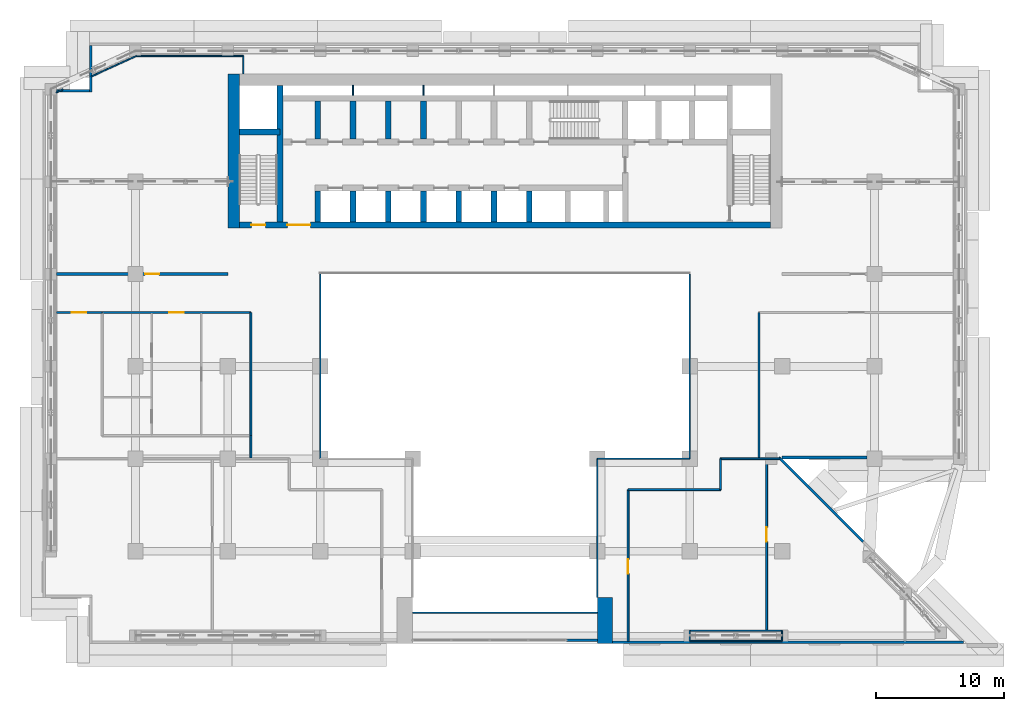
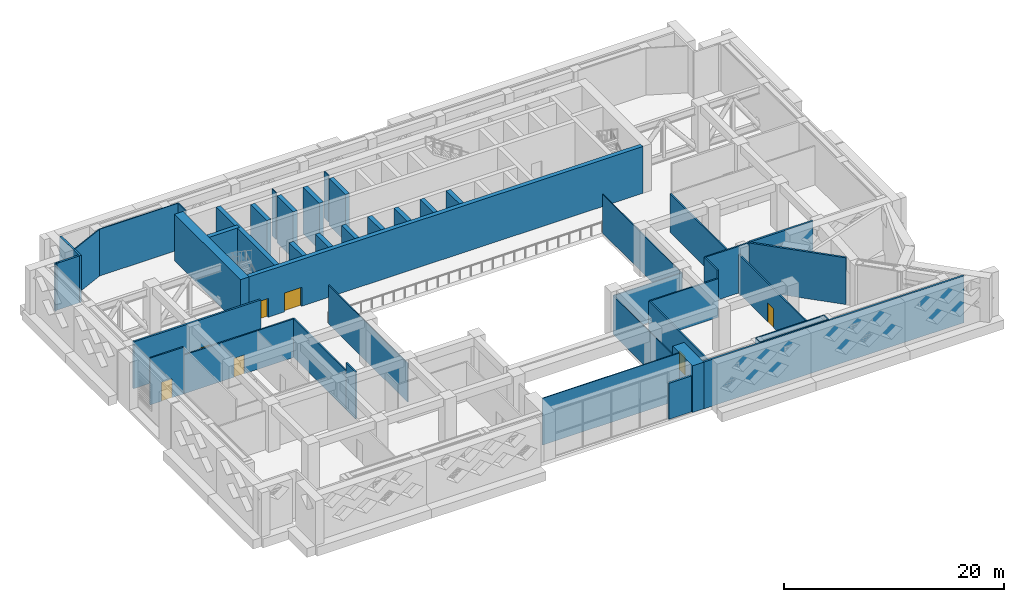
# One storey, part 9 of 19: 48 walls, 7 doors, 7 openings.
"""IFC4 building model written with IfcOpenShell, lengths in metres."""

from ifc_helpers import new_model, si_unit, direction, frame, frame_2d, origin, place, context, subcontext, project, spatial, rectangle, extrude, material, layer, layer_set, type_object, element, fill, save


model = new_model("IFC4")

# Units and contexts
model_context = context("Model", 3, precision=1e-05, world=origin(), true_north=direction((0.0, 1.0)))
body_context = subcontext(model_context, "Body", "Model", "MODEL_VIEW")
ifc_project = project(units=[si_unit("LENGTHUNIT", "METRE"), si_unit("AREAUNIT", "SQUARE_METRE"), si_unit("VOLUMEUNIT", "CUBIC_METRE"), si_unit("PLANEANGLEUNIT", "RADIAN"), si_unit("MASSUNIT", "GRAM", prefix="KILO")], contexts=[model_context])

# Site, building, storey
site_placement = place(None, origin())
site = spatial("IfcSite", under=ifc_project, at=site_placement, CompositionType="ELEMENT")
building_placement = place(site_placement, origin())
building = spatial("IfcBuilding", under=site, at=building_placement, Name="Saffron Iwan Residences", CompositionType="ELEMENT")
storey_placement = place(building_placement, frame((0.0, 0.0, 107.5)))
storey = spatial("IfcBuildingStorey", under=building, at=storey_placement, Name="L28", CompositionType="ELEMENT", Elevation=107.5)

# Walls
ifc_material_1 = material(Name="Concrete blockwork", Category="masonry")
ifc_layer_1 = layer(ifc_material_1, 0.14990234375)
ifc_layer_set_1 = layer_set([ifc_layer_1], Name="Concrete blockwork")
wall_type_1 = type_object("IfcWallType", Name="Blockwork partition 150", PredefinedType="PARTITIONING", material=ifc_layer_set_1)
wall_1_placement = place(storey_placement, frame((60.0, 45.60009765625, 0.0), z_axis=(0.0, 0.0, 1.0), x_axis=(1.0, 0.0, 0.0)))
element("IfcWall", 1, at=wall_1_placement, inside=storey, type_object=wall_type_1, Name="W-L28-008", PredefinedType="PARTITIONING", context=body_context, shape_type="SweptSolid", body=[
    extrude(rectangle(XDim=7.199951171875, YDim=0.14990234375, at=frame_2d((3.60009765625, 0.0))), origin(), (0.0, 0.0, 1.0), 4.300048828125),
])
wall_2_placement = place(storey_placement, frame((67.199951171875, 48.0, 0.0), z_axis=(0.0, 0.0, 1.0), x_axis=(1.0, 0.0, 0.0)))
element("IfcWall", 2, at=wall_2_placement, inside=storey, type_object=wall_type_1, Name="W-L28-012", PredefinedType="PARTITIONING", context=body_context, shape_type="SweptSolid", body=[
    extrude(rectangle(XDim=4.630126953125, YDim=0.14990234375, at=frame_2d((2.31494140625, 0.0))), origin(), (0.0, 0.0, 1.0), 5.199951171875),
])

# Wall, opening, door
wall_3_placement = place(storey_placement, frame((19.0, 59.39990234375, 0.0), z_axis=(0.0, 0.0, 1.0), x_axis=(1.0, 0.0, 0.0)))
wall_3 = element("IfcWall", 3, at=wall_3_placement, inside=storey, type_object=wall_type_1, Name="W-L28-015", PredefinedType="PARTITIONING", context=body_context, shape_type="SweptSolid", body=[
    extrude(rectangle(XDim=11.60009765625, YDim=0.14990234375, at=frame_2d((5.800048828125, 0.0))), origin(), (0.0, 0.0, 1.0), 4.300048828125),
])
opening_1_placement = place(wall_3_placement, frame((5.25, 0.0, 0.0)))
opening_1 = element("IfcOpeningElement", 4, at=opening_1_placement, cuts=wall_3, Name="Opening L28.13", PredefinedType="OPENING", context=body_context, shape_type="SweptSolid", body=[
    extrude(rectangle(XDim=1.10009765625, YDim=2.10009765625, at=frame_2d((0.550048828125, 1.050048828125))), frame((0.0, 0.0849609375, 0.0), z_axis=(0.0, -1.0, 0.0), x_axis=(1.0, 0.0, 0.0)), (0.0, 0.0, 1.0), 0.169921875),
])
ifc_material_2 = material(Name="Timber", Category="wood")
door_type_1 = type_object("IfcDoorType", Name="Door 1100x2100", OperationType="NOTDEFINED", PredefinedType="DOOR", material=ifc_material_2)
door_1_placement = place(opening_1_placement, origin())
door_1 = element("IfcDoor", 5, at=door_1_placement, inside=storey, type_object=door_type_1, Name="D-L28-013", OperationType="SINGLE_SWING_RIGHT", OverallHeight=2.10009765625, OverallWidth=1.10009765625, PredefinedType="DOOR", context=body_context, shape_type="SweptSolid", body=[
    extrude(rectangle(XDim=1.10009765625, YDim=2.10009765625, at=frame_2d((0.550048828125, 1.050048828125))), frame((0.0, 0.02490234375, 0.0), z_axis=(0.0, -1.0, 0.0), x_axis=(1.0, 0.0, 0.0)), (0.0, 0.0, 1.0), 0.050048828125),
])
fill(opening_1, door_1)

wall_4_placement = place(storey_placement, frame((15.449951171875, 59.39990234375, 0.0), z_axis=(0.0, 0.0, 1.0), x_axis=(1.0, 0.0, 0.0)))
wall_4 = element("IfcWall", 6, at=wall_4_placement, inside=storey, type_object=wall_type_1, Name="W-L28-016", PredefinedType="PARTITIONING", context=body_context, shape_type="SweptSolid", body=[
    extrude(rectangle(XDim=3.550048828125, YDim=0.14990234375, at=frame_2d((1.77490234375, 0.0))), origin(), (0.0, 0.0, 1.0), 5.199951171875),
])
opening_2_placement = place(wall_4_placement, frame((1.199951171875, 0.0, 0.0)))
opening_2 = element("IfcOpeningElement", 7, at=opening_2_placement, cuts=wall_4, Name="Opening L28.06", PredefinedType="OPENING", context=body_context, shape_type="SweptSolid", body=[
    extrude(rectangle(XDim=1.10009765625, YDim=2.10009765625, at=frame_2d((0.550048828125, 1.050048828125))), frame((0.0, 0.0849609375, 0.0), z_axis=(0.0, -1.0, 0.0), x_axis=(1.0, 0.0, 0.0)), (0.0, 0.0, 1.0), 0.169921875),
])
ifc_material_3 = material(Name="Steel", Category="steel")
door_type_2 = type_object("IfcDoorType", Name="Fire door 1100x2100", OperationType="NOTDEFINED", PredefinedType="DOOR", material=ifc_material_3)
door_2_placement = place(opening_2_placement, origin())
door_2 = element("IfcDoor", 8, at=door_2_placement, inside=storey, type_object=door_type_2, Name="D-L28-006", OperationType="SINGLE_SWING_LEFT", OverallHeight=2.10009765625, OverallWidth=1.10009765625, PredefinedType="DOOR", context=body_context, shape_type="SweptSolid", body=[
    extrude(rectangle(XDim=1.10009765625, YDim=2.10009765625, at=frame_2d((0.550048828125, 1.050048828125))), frame((0.0, 0.02490234375, 0.0), z_axis=(0.0, -1.0, 0.0), x_axis=(1.0, 0.0, 0.0)), (0.0, 0.0, 1.0), 0.050048828125),
])
fill(opening_2, door_2)

# Walls
wall_5_placement = place(storey_placement, frame((30.60009765625, 49.800048828125, 0.0), z_axis=(0.0, 0.0, 1.0), x_axis=(0.0, 1.0, 0.0)))
element("IfcWall", 9, at=wall_5_placement, inside=storey, type_object=wall_type_1, Name="W-L28-030", PredefinedType="PARTITIONING", context=body_context, shape_type="SweptSolid", body=[
    extrude(rectangle(XDim=9.599853515625, YDim=0.14990234375, at=frame_2d((4.7998046875, 0.0))), origin(), (0.0, 0.0, 1.0), 4.300048828125),
])
wall_6_placement = place(storey_placement, frame((30.60009765625, 48.074951171875, 0.0), z_axis=(0.0, 0.0, 1.0), x_axis=(0.0, 1.0, 0.0)))
element("IfcWall", 10, at=wall_6_placement, inside=storey, type_object=wall_type_1, Name="W-L28-031", PredefinedType="PARTITIONING", context=body_context, shape_type="SweptSolid", body=[
    extrude(rectangle(XDim=1.72509765625, YDim=0.14990234375, at=frame_2d((0.862548828125, 0.0))), origin(), (0.0, 0.0, 1.0), 5.199951171875),
])

# Wall, opening, door
wall_7_placement = place(storey_placement, frame((60.0, 33.77001953125, 0.0), z_axis=(0.0, 0.0, 1.0), x_axis=(0.0, 1.0, 0.0)))
wall_7 = element("IfcWall", 11, at=wall_7_placement, inside=storey, type_object=wall_type_1, Name="W-L28-038", PredefinedType="PARTITIONING", context=body_context, shape_type="SweptSolid", body=[
    extrude(rectangle(XDim=11.830078125, YDim=0.14990234375, at=frame_2d((5.9150390625, 0.0))), origin(), (0.0, 0.0, 1.0), 4.300048828125),
])
opening_3_placement = place(wall_7_placement, frame((5.280029296875, 0.0, 0.0)))
opening_3 = element("IfcOpeningElement", 12, at=opening_3_placement, cuts=wall_7, Name="Opening L28.08", PredefinedType="OPENING", context=body_context, shape_type="SweptSolid", body=[
    extrude(rectangle(XDim=1.10009765625, YDim=2.10009765625, at=frame_2d((0.550048828125, 1.050048828125))), frame((0.0, 0.0849609375, 0.0), z_axis=(0.0, -1.0, 0.0), x_axis=(1.0, 0.0, 0.0)), (0.0, 0.0, 1.0), 0.169921875),
])
door_3_placement = place(opening_3_placement, origin())
door_3 = element("IfcDoor", 13, at=door_3_placement, inside=storey, type_object=door_type_2, Name="D-L28-008", OperationType="SINGLE_SWING_LEFT", OverallHeight=2.10009765625, OverallWidth=1.10009765625, PredefinedType="DOOR", context=body_context, shape_type="SweptSolid", body=[
    extrude(rectangle(XDim=1.10009765625, YDim=2.10009765625, at=frame_2d((0.550048828125, 1.050048828125))), frame((0.0, 0.02490234375, 0.0), z_axis=(0.0, -1.0, 0.0), x_axis=(1.0, 0.0, 0.0)), (0.0, 0.0, 1.0), 0.050048828125),
])
fill(opening_3, door_3)

# Walls
wall_8_placement = place(storey_placement, frame((67.199951171875, 45.60009765625, 0.0), z_axis=(0.0, 0.0, 1.0), x_axis=(0.0, 1.0, 0.0)))
element("IfcWall", 14, at=wall_8_placement, inside=storey, type_object=wall_type_1, Name="W-L28-041", PredefinedType="PARTITIONING", context=body_context, shape_type="SweptSolid", body=[
    extrude(rectangle(XDim=2.39990234375, YDim=0.14990234375, at=frame_2d((1.199951171875, 0.0))), origin(), (0.0, 0.0, 1.0), 5.199951171875),
])
wall_9_placement = place(storey_placement, frame((70.199951171875, 48.074951171875, 0.0), z_axis=(0.0, 0.0, 1.0), x_axis=(0.0, 1.0, 0.0)))
element("IfcWall", 15, at=wall_9_placement, inside=storey, type_object=wall_type_1, Name="W-L28-042", PredefinedType="PARTITIONING", context=body_context, shape_type="SweptSolid", body=[
    extrude(rectangle(XDim=11.324951171875, YDim=0.14990234375, at=frame_2d((5.66259765625, 0.0))), origin(), (0.0, 0.0, 1.0), 4.300048828125),
])

# Wall, opening, door
wall_10_placement = place(storey_placement, frame((70.7900390625, 34.64990234375, 0.0), z_axis=(0.0, 0.0, 1.0), x_axis=(0.0, 1.0, 0.0)))
wall_10 = element("IfcWall", 16, at=wall_10_placement, inside=storey, type_object=wall_type_1, Name="W-L28-043", PredefinedType="PARTITIONING", context=body_context, shape_type="SweptSolid", body=[
    extrude(rectangle(XDim=13.275146484375, YDim=0.14990234375, at=frame_2d((6.6376953125, 0.0))), origin(), (0.0, 0.0, 1.0), 4.300048828125),
])
opening_4_placement = place(wall_10_placement, frame((6.89990234375, 0.0, 0.0)))
opening_4 = element("IfcOpeningElement", 17, at=opening_4_placement, cuts=wall_10, Name="Opening L28.12", PredefinedType="OPENING", context=body_context, shape_type="SweptSolid", body=[
    extrude(rectangle(XDim=1.10009765625, YDim=2.10009765625, at=frame_2d((0.550048828125, 1.050048828125))), frame((0.0, 0.0849609375, 0.0), z_axis=(0.0, -1.0, 0.0), x_axis=(1.0, 0.0, 0.0)), (0.0, 0.0, 1.0), 0.169921875),
])
door_4_placement = place(opening_4_placement, origin())
door_4 = element("IfcDoor", 18, at=door_4_placement, inside=storey, type_object=door_type_2, Name="D-L28-012", OperationType="SINGLE_SWING_RIGHT", OverallHeight=2.10009765625, OverallWidth=1.10009765625, PredefinedType="DOOR", context=body_context, shape_type="SweptSolid", body=[
    extrude(rectangle(XDim=1.10009765625, YDim=2.10009765625, at=frame_2d((0.550048828125, 1.050048828125))), frame((0.0, 0.02490234375, 0.0), z_axis=(0.0, -1.0, 0.0), x_axis=(1.0, 0.0, 0.0)), (0.0, 0.0, 1.0), 0.050048828125),
])
fill(opening_4, door_4)

# Walls
ifc_material_4 = material(Name="Concrete C40/50", Category="concrete")
ifc_layer_2 = layer(ifc_material_4, 0.199951171875)
ifc_layer_set_2 = layer_set([ifc_layer_2], Name="Concrete C40/50")
wall_type_2 = type_object("IfcWallType", Name="EXTERNAL WALL 200", PredefinedType="SOLIDWALL", material=ifc_layer_set_2)
wall_11_placement = place(storey_placement, frame((71.988525390625, 48.10009765625, 0.0), z_axis=(0.0, 0.0, 1.0), x_axis=(1.0, 0.0, 0.0)))
element("IfcWall", 19, at=wall_11_placement, inside=storey, type_object=wall_type_2, Name="External wall L28 F1.0", PredefinedType="SOLIDWALL", context=body_context, shape_type="SweptSolid", body=[
    extrude(rectangle(XDim=6.611572265625, YDim=0.199951171875, at=frame_2d((3.3056640625, 0.0))), origin(), (0.0, 0.0, 1.0), 5.199951171875),
])
wall_12_placement = place(storey_placement, frame((18.10009765625, 80.199951171875, 0.0), z_axis=(0.0, 0.0, 1.0), x_axis=(0.0, -1.0, 0.0)))
element("IfcWall", 20, at=wall_12_placement, inside=storey, type_object=wall_type_2, Name="External wall L28 F6.0", PredefinedType="SOLIDWALL", context=body_context, shape_type="SweptSolid", body=[
    extrude(rectangle(XDim=3.599853515625, YDim=0.199951171875, at=frame_2d((1.7998046875, 0.0))), origin(), (0.0, 0.0, 1.0), 5.199951171875),
])
wall_13_placement = place(storey_placement, frame((18.0, 76.699951171875, 0.0), z_axis=(0.0, 0.0, 1.0), x_axis=(-1.0, 0.0, 0.0)))
element("IfcWall", 21, at=wall_13_placement, inside=storey, type_object=wall_type_2, Name="External wall L28 F7.0", PredefinedType="SOLIDWALL", context=body_context, shape_type="SweptSolid", body=[
    extrude(rectangle(XDim=2.550048828125, YDim=0.199951171875, at=frame_2d((1.27490234375, 0.0))), origin(), (0.0, 0.0, 1.0), 5.199951171875),
])
wall_14_placement = place(storey_placement, frame((58.800048828125, 33.699951171875, 0.0), z_axis=(0.0, 0.0, 1.0), x_axis=(1.0, 0.0, 0.0)))
element("IfcWall", 22, at=wall_14_placement, inside=storey, type_object=wall_type_2, Name="External wall L28 F11.1", PredefinedType="SOLIDWALL", context=body_context, shape_type="SweptSolid", body=[
    extrude(rectangle(XDim=27.358642578125, YDim=0.199951171875, at=frame_2d((13.67919921875, 0.0))), origin(), (0.0, 0.0, 1.0), 5.199951171875),
])
wall_15_placement = place(storey_placement, frame((55.199951171875, 33.85009765625, 0.0), z_axis=(0.0, 0.0, 1.0), x_axis=(1.0, 0.0, 0.0)))
element("IfcWall", 23, at=wall_15_placement, inside=storey, type_object=wall_type_2, Name="External wall infill CWB-L28-0", PredefinedType="SOLIDWALL", context=body_context, shape_type="SweptSolid", body=[
    extrude(rectangle(XDim=2.400146484375, YDim=0.199951171875, at=frame_2d((1.2001953125, 0.0))), origin(), (0.0, 0.0, 1.0), 4.0),
])
wall_16_placement = place(storey_placement, frame((78.32275390625, 41.535888671875, 0.0), z_axis=(0.0, 0.0, 1.0), x_axis=(-0.707106781187, 0.707106781187, 0.0)))
element("IfcWall", 24, at=wall_16_placement, inside=storey, type_object=wall_type_2, Name="External wall L28 F0.0-2", PredefinedType="SOLIDWALL", context=body_context, shape_type="SweptSolid", body=[
    extrude(rectangle(XDim=9.283203125, YDim=0.199951171875, at=frame_2d((4.6416015625, 0.0))), origin(), (0.0, 0.0, 1.0), 5.199951171875),
])
ifc_material_5 = material(Name="Glass", Category="glass")
ifc_layer_3 = layer(ifc_material_5, 0.10009765625)
ifc_layer_set_3 = layer_set([ifc_layer_3], Name="Glass")
wall_type_3 = type_object("IfcWallType", Name="Glazed screen wall 100", PredefinedType="PARTITIONING", material=ifc_layer_set_3)
for number, where, z_axis, x_axis, name in (
    (25, (64.800048828125, 33.800048828125, 0.0), (0.0, 0.0, 1.0), (1.0, 0.0, 0.0), "W-L28-002"),
    (26, (64.800048828125, 34.60009765625, 0.0), (0.0, 0.0, 1.0), (1.0, 0.0, 0.0), "W-L28-004"),
):
    element("IfcWall", number, at=place(storey_placement, frame(where, z_axis=z_axis, x_axis=x_axis)), inside=storey, type_object=wall_type_3, Name=name, PredefinedType="PARTITIONING", context=body_context, shape_type="SweptSolid", body=[
        extrude(rectangle(XDim=7.199951171875, YDim=0.10009765625, at=frame_2d((3.60009765625, 0.0))), origin(), (0.0, 0.0, 1.0), 5.199951171875),
    ])
wall_17_placement = place(storey_placement, frame((43.201904296875, 36.0, 0.0), z_axis=(0.0, 0.0, 1.0), x_axis=(1.0, 0.0, 0.0)))
element("IfcWall", 27, at=wall_17_placement, inside=storey, type_object=wall_type_3, Name="W-L28-005", PredefinedType="PARTITIONING", context=body_context, shape_type="SweptSolid", body=[
    extrude(rectangle(XDim=14.39599609375, YDim=0.10009765625, at=frame_2d((7.197998046875, 0.0))), origin(), (0.0, 0.0, 1.0), 5.199951171875),
])
wall_18_placement = place(storey_placement, frame((57.60009765625, 48.0, 0.0), z_axis=(0.0, 0.0, 1.0), x_axis=(1.0, 0.0, 0.0)))
element("IfcWall", 28, at=wall_18_placement, inside=storey, type_object=wall_type_3, Name="W-L28-010", PredefinedType="PARTITIONING", context=body_context, shape_type="SweptSolid", body=[
    extrude(rectangle(XDim=7.199951171875, YDim=0.10009765625, at=frame_2d((3.60009765625, 0.0))), origin(), (0.0, 0.0, 1.0), 4.300048828125),
])
wall_19_placement = place(storey_placement, frame((21.68701171875, 79.39990234375, 0.0), z_axis=(0.0, 0.0, 1.0), x_axis=(1.0, 0.0, 0.0)))
element("IfcWall", 29, at=wall_19_placement, inside=storey, type_object=wall_type_3, Name="W-L28-020", PredefinedType="PARTITIONING", context=body_context, shape_type="SweptSolid", body=[
    extrude(rectangle(XDim=8.31298828125, YDim=0.10009765625, at=frame_2d((4.156494140625, 0.0))), origin(), (0.0, 0.0, 1.0), 5.199951171875),
])
wall_20_placement = place(storey_placement, frame((30.0, 78.001953125, 0.0), z_axis=(0.0, 0.0, 1.0), x_axis=(0.0, 1.0, 0.0)))
element("IfcWall", 30, at=wall_20_placement, inside=storey, type_object=wall_type_3, Name="W-L28-029", PredefinedType="PARTITIONING", context=body_context, shape_type="SweptSolid", body=[
    extrude(rectangle(XDim=1.39794921875, YDim=0.10009765625, at=frame_2d((0.698974609375, 0.0))), origin(), (0.0, 0.0, 1.0), 5.199951171875),
])
wall_21_placement = place(storey_placement, frame((36.0, 48.0, 0.0), z_axis=(0.0, 0.0, 1.0), x_axis=(0.0, 1.0, 0.0)))
element("IfcWall", 31, at=wall_21_placement, inside=storey, type_object=wall_type_3, Name="W-L28-034", PredefinedType="PARTITIONING", context=body_context, shape_type="SweptSolid", body=[
    extrude(rectangle(XDim=14.39990234375, YDim=0.10009765625, at=frame_2d((7.199951171875, 0.0))), origin(), (0.0, 0.0, 1.0), 4.300048828125),
])
wall_22_placement = place(storey_placement, frame((57.60009765625, 37.201904296875, 0.0), z_axis=(0.0, 0.0, 1.0), x_axis=(0.0, 1.0, 0.0)))
element("IfcWall", 32, at=wall_22_placement, inside=storey, type_object=wall_type_3, Name="W-L28-037", PredefinedType="PARTITIONING", context=body_context, shape_type="SweptSolid", body=[
    extrude(rectangle(XDim=10.798095703125, YDim=0.10009765625, at=frame_2d((5.39892578125, 0.0))), origin(), (0.0, 0.0, 1.0), 4.300048828125),
])
wall_23_placement = place(storey_placement, frame((64.800048828125, 33.800048828125, 0.0), z_axis=(0.0, 0.0, 1.0), x_axis=(0.0, 1.0, 0.0)))
element("IfcWall", 33, at=wall_23_placement, inside=storey, type_object=wall_type_3, Name="W-L28-039", PredefinedType="PARTITIONING", context=body_context, shape_type="SweptSolid", body=[
    extrude(rectangle(XDim=0.800048828125, YDim=0.10009765625, at=frame_2d((0.39990234375, 0.0))), origin(), (0.0, 0.0, 1.0), 5.199951171875),
])
wall_24_placement = place(storey_placement, frame((64.800048828125, 48.0, 0.0), z_axis=(0.0, 0.0, 1.0), x_axis=(0.0, 1.0, 0.0)))
element("IfcWall", 34, at=wall_24_placement, inside=storey, type_object=wall_type_3, Name="W-L28-040", PredefinedType="PARTITIONING", context=body_context, shape_type="SweptSolid", body=[
    extrude(rectangle(XDim=14.39990234375, YDim=0.10009765625, at=frame_2d((7.199951171875, 0.0))), origin(), (0.0, 0.0, 1.0), 4.300048828125),
])
wall_25_placement = place(storey_placement, frame((72.0, 33.800048828125, 0.0), z_axis=(0.0, 0.0, 1.0), x_axis=(0.0, 1.0, 0.0)))
element("IfcWall", 35, at=wall_25_placement, inside=storey, type_object=wall_type_3, Name="W-L28-044", PredefinedType="PARTITIONING", context=body_context, shape_type="SweptSolid", body=[
    extrude(rectangle(XDim=0.800048828125, YDim=0.10009765625, at=frame_2d((0.39990234375, 0.0))), origin(), (0.0, 0.0, 1.0), 5.199951171875),
])
wall_26_placement = place(storey_placement, frame((15.967041015625, 76.800048828125, 0.0), z_axis=(0.0, 0.0, 1.0), x_axis=(-0.910205385289, -0.41415716412, 0.0)))
element("IfcWall", 36, at=wall_26_placement, inside=storey, type_object=wall_type_3, Name="W-L28-047", PredefinedType="PARTITIONING", context=body_context, shape_type="SweptSolid", body=[
    extrude(rectangle(XDim=0.623046875, YDim=0.10009765625, at=frame_2d((0.3115234375, 0.0))), origin(), (0.0, 0.0, 1.0), 5.199951171875),
])
wall_27_placement = place(storey_placement, frame((21.68701171875, 79.39990234375, 0.0), z_axis=(0.0, 0.0, 1.0), x_axis=(-0.910316907758, -0.413911980316, 0.0)))
element("IfcWall", 37, at=wall_27_placement, inside=storey, type_object=wall_type_3, Name="W-L28-048", PredefinedType="PARTITIONING", context=body_context, shape_type="SweptSolid", body=[
    extrude(rectangle(XDim=3.8798828125, YDim=0.10009765625, at=frame_2d((1.93994140625, 0.0))), origin(), (0.0, 0.0, 1.0), 5.199951171875),
])

# Wall, opening, door
ifc_layer_4 = layer(ifc_material_4, 0.199951171875)
ifc_layer_set_4 = layer_set([ifc_layer_4], Name="Concrete C40/50")
wall_type_4 = type_object("IfcWallType", Name="Reinforced concrete wall 200", PredefinedType="SOLIDWALL", material=ifc_layer_set_4)
wall_28_placement = place(storey_placement, frame((15.449951171875, 62.39990234375, 0.0), z_axis=(0.0, 0.0, 1.0), x_axis=(1.0, 0.0, 0.0)))
wall_28 = element("IfcWall", 38, at=wall_28_placement, inside=storey, type_object=wall_type_4, Name="W-L28-018", PredefinedType="SOLIDWALL", context=body_context, shape_type="SweptSolid", body=[
    extrude(rectangle(XDim=13.35009765625, YDim=0.199951171875, at=frame_2d((6.675048828125, 0.0))), origin(), (0.0, 0.0, 1.0), 5.199951171875),
])
opening_5_placement = place(wall_28_placement, frame((6.89990234375, 0.0, 0.0)))
opening_5 = element("IfcOpeningElement", 39, at=opening_5_placement, cuts=wall_28, Name="Opening L28.07", PredefinedType="OPENING", context=body_context, shape_type="SweptSolid", body=[
    extrude(rectangle(XDim=1.10009765625, YDim=2.10009765625, at=frame_2d((0.550048828125, 1.050048828125))), frame((0.0, 0.10986328125, 0.0), z_axis=(0.0, -1.0, 0.0), x_axis=(1.0, 0.0, 0.0)), (0.0, 0.0, 1.0), 0.219970703125),
])
door_5_placement = place(opening_5_placement, origin())
door_5 = element("IfcDoor", 40, at=door_5_placement, inside=storey, type_object=door_type_2, Name="D-L28-007", OperationType="SINGLE_SWING_RIGHT", OverallHeight=2.10009765625, OverallWidth=1.10009765625, PredefinedType="DOOR", context=body_context, shape_type="SweptSolid", body=[
    extrude(rectangle(XDim=1.10009765625, YDim=2.10009765625, at=frame_2d((0.550048828125, 1.050048828125))), frame((0.0, 0.02490234375, 0.0), z_axis=(0.0, -1.0, 0.0), x_axis=(1.0, 0.0, 0.0)), (0.0, 0.0, 1.0), 0.050048828125),
])
fill(opening_5, door_5)

# Walls
ifc_material_6 = material(Name="Fire-rated plasterboard partition")
ifc_layer_5 = layer(ifc_material_6, 0.10009765625)
ifc_layer_set_5 = layer_set([ifc_layer_5], Name="Fire-rated plasterboard partition")
wall_type_5 = type_object("IfcWallType", Name="Riser partition 100", PredefinedType="PARTITIONING", material=ifc_layer_set_5)
for number, where, z_axis, x_axis, name in (
    (41, (38.550048828125, 76.324951171875, 0.0), (0.0, 0.0, 1.0), (0.0, 1.0, 0.0), "Core partition P01"),
    (42, (44.050048828125, 76.324951171875, 0.0), (0.0, 0.0, 1.0), (0.0, 1.0, 0.0), "Core partition P02"),
):
    element("IfcWall", number, at=place(storey_placement, frame(where, z_axis=z_axis, x_axis=x_axis)), inside=storey, type_object=wall_type_5, Name=name, PredefinedType="PARTITIONING", context=body_context, shape_type="SweptSolid", body=[
        extrude(rectangle(XDim=0.775146484375, YDim=0.10009765625, at=frame_2d((0.3876953125, 0.0))), origin(), (0.0, 0.0, 1.0), 5.199951171875),
    ])

# Wall, openings, doors
ifc_material_7 = material(Name="Concrete C60/75", Category="concrete")
ifc_layer_6 = layer(ifc_material_7, 0.449951171875)
ifc_layer_set_6 = layer_set([ifc_layer_6], Name="Concrete C60/75")
wall_type_6 = type_object("IfcWallType", Name="WALL CORE 450 C60/75 5200 HIGH", PredefinedType="SHEAR", material=ifc_layer_set_6)
wall_29_placement = place(storey_placement, frame((29.699951171875, 66.22509765625, 0.0), z_axis=(0.0, 0.0, 1.0), x_axis=(1.0, 0.0, 0.0)))
wall_29 = element("IfcWall", 43, at=wall_29_placement, inside=storey, type_object=wall_type_6, Name="Core wall", PredefinedType="SHEAR", context=body_context, shape_type="SweptSolid", body=[
    extrude(rectangle(XDim=41.400146484375, YDim=0.449951171875, at=frame_2d((20.7001953125, 0.0))), origin(), (0.0, 0.0, 1.0), 5.199951171875),
])
opening_6_placement = place(wall_29_placement, frame((0.925048828125, 0.0, 0.0)))
opening_6 = element("IfcOpeningElement", 44, at=opening_6_placement, cuts=wall_29, Name="Opening SD", PredefinedType="OPENING", context=body_context, shape_type="SweptSolid", body=[
    extrude(rectangle(XDim=1.10009765625, YDim=2.10009765625, at=frame_2d((0.550048828125, 1.050048828125))), frame((0.0, 0.23486328125, 0.0), z_axis=(0.0, -1.0, 0.0), x_axis=(1.0, 0.0, 0.0)), (0.0, 0.0, 1.0), 0.469970703125),
])
opening_7_placement = place(wall_29_placement, frame((3.737548828125, 0.0, 0.0)))
opening_7 = element("IfcOpeningElement", 45, at=opening_7_placement, cuts=wall_29, Name="Opening DD", PredefinedType="OPENING", context=body_context, shape_type="SweptSolid", body=[
    extrude(rectangle(XDim=1.800048828125, YDim=2.10009765625, at=frame_2d((0.89990234375, 1.050048828125))), frame((0.0, 0.23486328125, 0.0), z_axis=(0.0, -1.0, 0.0), x_axis=(1.0, 0.0, 0.0)), (0.0, 0.0, 1.0), 0.469970703125),
])
ifc_material_8 = material(Name="Steel fire door", Category="steel")
door_type_3 = type_object("IfcDoorType", Name="Lobby double door 1800", OperationType="DOUBLE_DOOR_SINGLE_SWING", PredefinedType="DOOR", material=ifc_material_8)
door_6_placement = place(opening_7_placement, origin())
door_6 = element("IfcDoor", 46, at=door_6_placement, inside=storey, type_object=door_type_3, Name="Lobby doors", OperationType="DOUBLE_DOOR_SINGLE_SWING", OverallHeight=2.10009765625, OverallWidth=1.800048828125, PredefinedType="DOOR", context=body_context, shape_type="SweptSolid", body=[
    extrude(rectangle(XDim=1.800048828125, YDim=2.10009765625, at=frame_2d((0.89990234375, 1.050048828125))), frame((0.0, 0.02490234375, 0.0), z_axis=(0.0, -1.0, 0.0), x_axis=(1.0, 0.0, 0.0)), (0.0, 0.0, 1.0), 0.050048828125),
])
fill(opening_7, door_6)
door_type_4 = type_object("IfcDoorType", Name="Stair door 1100", OperationType="NOTDEFINED", PredefinedType="DOOR", material=ifc_material_8)
door_7_placement = place(opening_6_placement, origin())
door_7 = element("IfcDoor", 47, at=door_7_placement, inside=storey, type_object=door_type_4, Name="Stair door ST-W", OperationType="SINGLE_SWING_LEFT", OverallHeight=2.10009765625, OverallWidth=1.10009765625, PredefinedType="DOOR", context=body_context, shape_type="SweptSolid", body=[
    extrude(rectangle(XDim=1.10009765625, YDim=2.10009765625, at=frame_2d((0.550048828125, 1.050048828125))), frame((0.0, 0.02490234375, 0.0), z_axis=(0.0, -1.0, 0.0), x_axis=(1.0, 0.0, 0.0)), (0.0, 0.0, 1.0), 0.050048828125),
])
fill(opening_6, door_7)

# Walls
wall_30_placement = place(storey_placement, frame((29.699951171875, 73.47509765625, 0.0), z_axis=(0.0, 0.0, 1.0), x_axis=(1.0, 0.0, 0.0)))
element("IfcWall", 48, at=wall_30_placement, inside=storey, type_object=wall_type_6, Name="Core wall", PredefinedType="SHEAR", context=body_context, shape_type="SweptSolid", body=[
    extrude(rectangle(XDim=3.175048828125, YDim=0.449951171875, at=frame_2d((1.58740234375, 0.0))), origin(), (0.0, 0.0, 1.0), 5.199951171875),
])
wall_31_placement = place(storey_placement, frame((32.875, 66.449951171875, 0.0), z_axis=(0.0, 0.0, 1.0), x_axis=(0.0, 1.0, 0.0)))
element("IfcWall", 49, at=wall_31_placement, inside=storey, type_object=wall_type_6, Name="Core wall", PredefinedType="SHEAR", context=body_context, shape_type="SweptSolid", body=[
    extrude(rectangle(XDim=10.650146484375, YDim=0.449951171875, at=frame_2d((5.3251953125, 0.0))), origin(), (0.0, 0.0, 1.0), 5.199951171875),
])
for number, where, z_axis, x_axis, name in (
    (50, (35.800048828125, 66.449951171875, 0.0), (0.0, 0.0, 1.0), (0.0, 1.0, 0.0), "Core wall"),
    (51, (38.550048828125, 66.449951171875, 0.0), (0.0, 0.0, 1.0), (0.0, 1.0, 0.0), "Core wall"),
    (52, (41.300048828125, 66.449951171875, 0.0), (0.0, 0.0, 1.0), (0.0, 1.0, 0.0), "Core wall"),
    (53, (44.050048828125, 66.449951171875, 0.0), (0.0, 0.0, 1.0), (0.0, 1.0, 0.0), "Core wall"),
    (54, (46.800048828125, 66.449951171875, 0.0), (0.0, 0.0, 1.0), (0.0, 1.0, 0.0), "Core wall"),
    (55, (49.550048828125, 66.449951171875, 0.0), (0.0, 0.0, 1.0), (0.0, 1.0, 0.0), "Core wall"),
    (56, (52.300048828125, 66.449951171875, 0.0), (0.0, 0.0, 1.0), (0.0, 1.0, 0.0), "Core wall"),
):
    element("IfcWall", number, at=place(storey_placement, frame(where, z_axis=z_axis, x_axis=x_axis)), inside=storey, type_object=wall_type_6, Name=name, PredefinedType="SHEAR", context=body_context, shape_type="SweptSolid", body=[
        extrude(rectangle(XDim=2.425048828125, YDim=0.449951171875, at=frame_2d((1.21240234375, 0.0))), origin(), (0.0, 0.0, 1.0), 5.199951171875),
    ])
for number, where, z_axis, x_axis, name in (
    (57, (35.800048828125, 72.925048828125, 0.0), (0.0, 0.0, 1.0), (0.0, 1.0, 0.0), "Core wall"),
    (58, (38.550048828125, 72.925048828125, 0.0), (0.0, 0.0, 1.0), (0.0, 1.0, 0.0), "Core wall"),
    (59, (41.300048828125, 72.925048828125, 0.0), (0.0, 0.0, 1.0), (0.0, 1.0, 0.0), "Core wall"),
    (60, (44.050048828125, 72.925048828125, 0.0), (0.0, 0.0, 1.0), (0.0, 1.0, 0.0), "Core wall"),
):
    element("IfcWall", number, at=place(storey_placement, frame(where, z_axis=z_axis, x_axis=x_axis)), inside=storey, type_object=wall_type_6, Name=name, PredefinedType="SHEAR", context=body_context, shape_type="SweptSolid", body=[
        extrude(rectangle(XDim=2.949951171875, YDim=0.449951171875, at=frame_2d((1.47509765625, 0.0))), origin(), (0.0, 0.0, 1.0), 5.199951171875),
    ])
ifc_layer_7 = layer(ifc_material_7, 0.89990234375)
ifc_layer_set_7 = layer_set([ifc_layer_7], Name="Concrete C60/75")
wall_type_7 = type_object("IfcWallType", Name="WALL CORE 900 C60/75 5200 HIGH", PredefinedType="SHEAR", material=ifc_layer_set_7)
wall_32_placement = place(storey_placement, frame((29.25, 66.0, 0.0), z_axis=(0.0, 0.0, 1.0), x_axis=(0.0, 1.0, 0.0)))
element("IfcWall", 61, at=wall_32_placement, inside=storey, type_object=wall_type_7, Name="Core wall", PredefinedType="SHEAR", context=body_context, shape_type="SweptSolid", body=[
    extrude(rectangle(XDim=12.0, YDim=0.89990234375, at=frame_2d((6.0, 0.0))), origin(), (0.0, 0.0, 1.0), 5.199951171875),
])
ifc_layer_8 = layer(ifc_material_7, 1.199951171875)
ifc_layer_set_8 = layer_set([ifc_layer_8], Name="Concrete C60/75")
wall_type_8 = type_object("IfcWallType", Name="WALL IWAN PIER 1200 C60/75 5200 HIGH", PredefinedType="SHEAR", material=ifc_layer_set_8)
wall_33_placement = place(storey_placement, frame((58.199951171875, 33.60009765625, 0.0), z_axis=(0.0, 0.0, 1.0), x_axis=(0.0, 1.0, 0.0)))
element("IfcWall", 62, at=wall_33_placement, inside=storey, type_object=wall_type_8, Name="IWAN PIER", PredefinedType="SHEAR", context=body_context, shape_type="SweptSolid", body=[
    extrude(rectangle(XDim=3.599853515625, YDim=1.199951171875, at=frame_2d((1.7998046875, 0.0))), origin(), (0.0, 0.0, 1.0), 5.199951171875),
])

save(model, "model.ifc")
